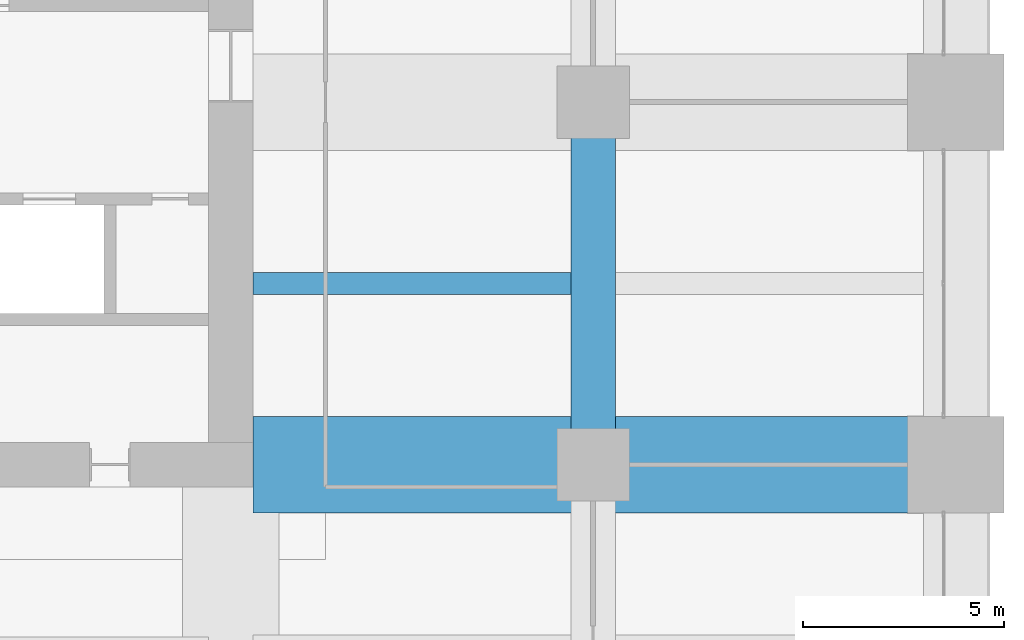
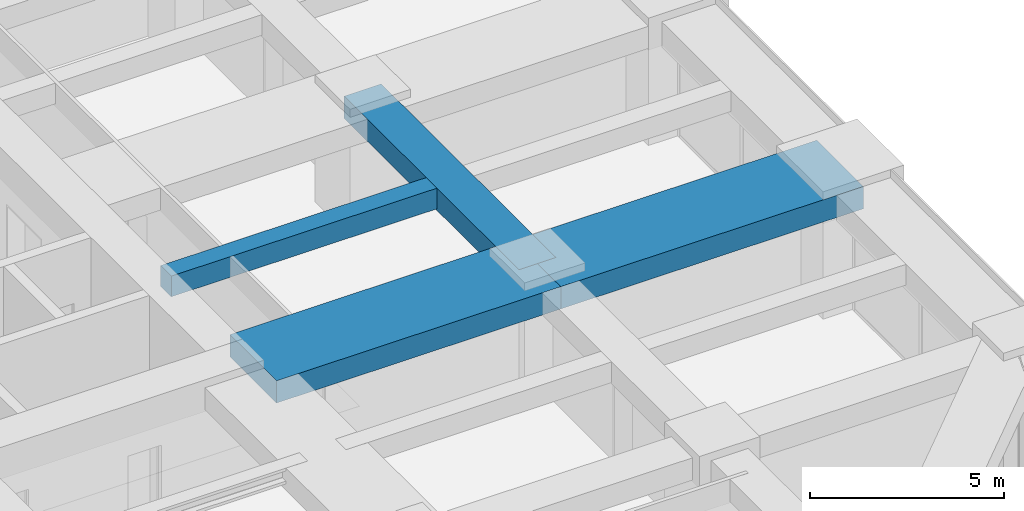
# One storey, part 20 of 43: 4 beams.
"""IFC4 building model written with IfcOpenShell, lengths in metres."""

from ifc_helpers import new_model, si_unit, direction, frame, origin, origin_2d, place, context, subcontext, project, spatial, rectangle, extrude, material, material_profile, profile_set, type_object, element, save


model = new_model("IFC4")

# Units and contexts
model_context = context("Model", 3, precision=1e-05, world=origin(), true_north=direction((0.0, 1.0)))
body_context = subcontext(model_context, "Body", "Model", "MODEL_VIEW")
ifc_project = project(units=[si_unit("LENGTHUNIT", "METRE"), si_unit("AREAUNIT", "SQUARE_METRE"), si_unit("VOLUMEUNIT", "CUBIC_METRE"), si_unit("PLANEANGLEUNIT", "RADIAN"), si_unit("MASSUNIT", "GRAM", prefix="KILO")], contexts=[model_context])

# Site, building, storey
site_placement = place(None, origin())
site = spatial("IfcSite", under=ifc_project, at=site_placement, CompositionType="ELEMENT")
building_placement = place(site_placement, origin())
building = spatial("IfcBuilding", under=site, at=building_placement, Name="Zorevar Civic Tower", CompositionType="ELEMENT")
storey_placement = place(building_placement, frame((0.0, 0.0, 141.0)))
storey = spatial("IfcBuildingStorey", under=building, at=storey_placement, Name="L34", CompositionType="ELEMENT", Elevation=141.0)

# Beams
ifc_material_1 = material(Name="Concrete C50/60", Category="concrete")
ifc_material_profile_1 = material_profile(ifc_material_1, rectangle(XDim=1.10009765625, YDim=0.699951171875, at=origin_2d()), Name="RC 1100x700")
ifc_profile_set_1 = profile_set([ifc_material_profile_1], Name="Concrete C50/60")
beam_type_1 = type_object("IfcBeamType", Name="Beam RC 1100x700", PredefinedType="BEAM", material=ifc_profile_set_1)
beam_1_placement = place(storey_placement, frame((54.0, 18.0, 3.39990234375), z_axis=(0.0, 1.0, 0.0), x_axis=(-1.0, 0.0, 0.0)))
element("IfcBeam", 1, at=beam_1_placement, inside=storey, type_object=beam_type_1, Name="Girder L35", PredefinedType="BEAM", context=body_context, shape_type="SweptSolid", body=[
    extrude(rectangle(XDim=1.10009765625, YDim=0.699951171875, at=origin_2d()), origin(), (0.0, 0.0, 1.0), 9.0),
])
ifc_material_2 = material(Name="Concrete C50/60", Category="concrete")
ifc_material_profile_2 = material_profile(ifc_material_2, rectangle(XDim=2.39990234375, YDim=0.699951171875, at=origin_2d()), Name="RC 2400x700")
ifc_profile_set_2 = profile_set([ifc_material_profile_2], Name="Concrete C50/60")
beam_type_2 = type_object("IfcBeamType", Name="Beam RC 2400x700", PredefinedType="BEAM", material=ifc_profile_set_2)
beam_2_placement = place(storey_placement, frame((45.550048828125, 18.0, 3.39990234375), z_axis=(1.0, 0.0, 0.0), x_axis=(0.0, 1.0, 0.0)))
element("IfcBeam", 2, at=beam_2_placement, inside=storey, type_object=beam_type_2, Name="Girder L35", PredefinedType="BEAM", context=body_context, shape_type="SweptSolid", body=[
    extrude(rectangle(XDim=2.39990234375, YDim=0.699951171875, at=origin_2d()), origin(), (0.0, 0.0, 1.0), 8.449951171875),
])
beam_3_placement = place(storey_placement, frame((54.0, 18.0, 3.39990234375), z_axis=(1.0, 0.0, 0.0), x_axis=(0.0, 1.0, 0.0)))
element("IfcBeam", 3, at=beam_3_placement, inside=storey, type_object=beam_type_2, Name="Girder L35", PredefinedType="BEAM", context=body_context, shape_type="SweptSolid", body=[
    extrude(rectangle(XDim=2.39990234375, YDim=0.699951171875, at=origin_2d()), origin(), (0.0, 0.0, 1.0), 9.0),
])
ifc_material_3 = material(Name="Concrete C50/60", Category="concrete")
ifc_material_profile_3 = material_profile(ifc_material_3, rectangle(XDim=0.550048828125, YDim=0.64990234375, at=origin_2d()), Name="RC 550x650")
ifc_profile_set_3 = profile_set([ifc_material_profile_3], Name="Concrete C50/60")
beam_type_3 = type_object("IfcBeamType", Name="Beam RC 550x650", PredefinedType="BEAM", material=ifc_profile_set_3)
beam_4_placement = place(storey_placement, frame((45.550048828125, 22.5, 3.425048828125), z_axis=(1.0, 0.0, 0.0), x_axis=(0.0, 1.0, 0.0)))
element("IfcBeam", 4, at=beam_4_placement, inside=storey, type_object=beam_type_3, Name="Secondary beam L35", PredefinedType="BEAM", context=body_context, shape_type="SweptSolid", body=[
    extrude(rectangle(XDim=0.550048828125, YDim=0.64990234375, at=origin_2d()), origin(), (0.0, 0.0, 1.0), 7.89990234375),
])

save(model, "model.ifc")
